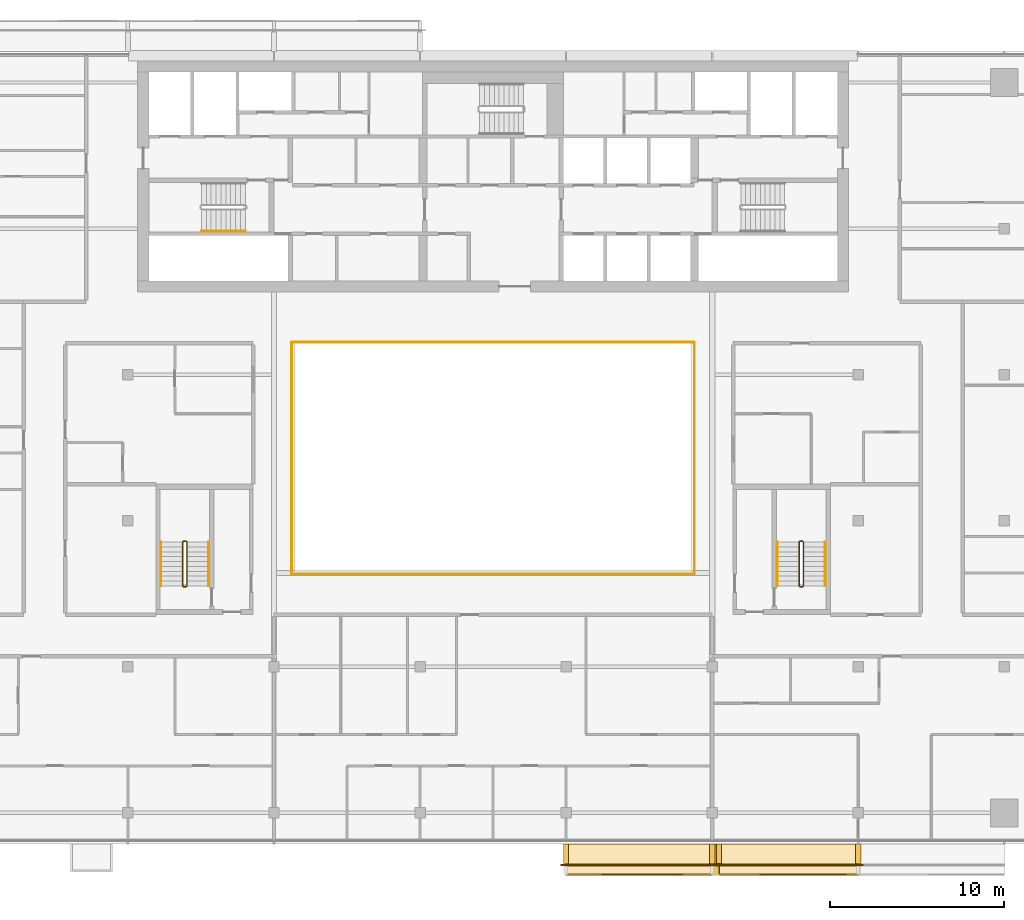
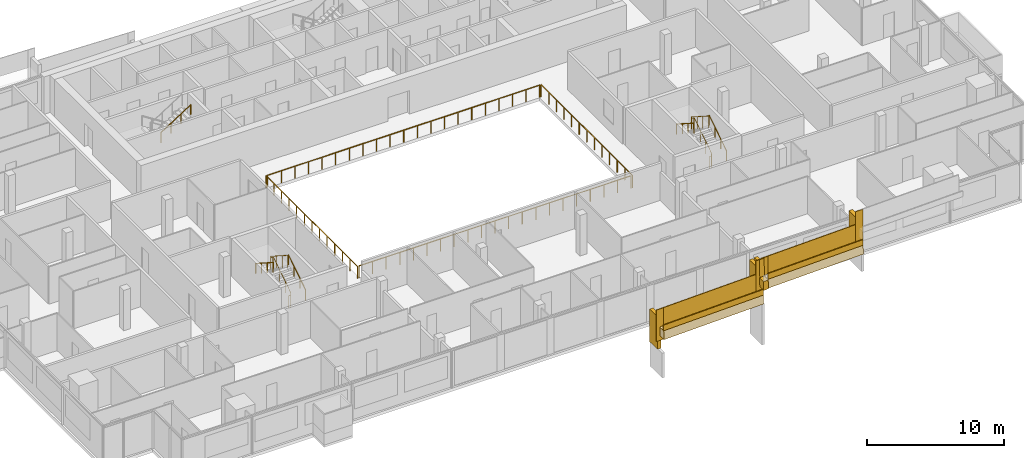
# One storey, part 25 of 27: 18 railings, 9 coverings.
"""IFC4 building model written with IfcOpenShell, lengths in metres."""

from ifc_helpers import new_model, si_unit, direction, frame, origin, origin_2d, place, context, subcontext, project, spatial, polyline, rectangle, circle, outline, extrude, material, layer, layer_set, type_object, element, save


model = new_model("IFC4")

# Units and contexts
model_context = context("Model", 3, precision=1e-05, world=origin(), true_north=direction((0.0, 1.0)))
body_context = subcontext(model_context, "Body", "Model", "MODEL_VIEW")
ifc_project = project(units=[si_unit("LENGTHUNIT", "METRE"), si_unit("AREAUNIT", "SQUARE_METRE"), si_unit("VOLUMEUNIT", "CUBIC_METRE"), si_unit("PLANEANGLEUNIT", "RADIAN"), si_unit("MASSUNIT", "GRAM", prefix="KILO")], contexts=[model_context])

# Site, building, storey
site_placement = place(None, origin())
site = spatial("IfcSite", under=ifc_project, at=site_placement, CompositionType="ELEMENT")
building_placement = place(site_placement, origin())
building = spatial("IfcBuilding", under=site, at=building_placement, Name="Saffron Gate Tower", CompositionType="ELEMENT")
storey_placement = place(building_placement, frame((0.0, 0.0, 234.300048828125)))
storey = spatial("IfcBuildingStorey", under=building, at=storey_placement, Name="L57", CompositionType="ELEMENT", Elevation=234.300048828125)

# Railings
ifc_material_1 = material(Name="Stainless steel and laminated glass", Category="steel")
railing_type_1 = type_object("IfcRailingType", Name="AG1 Atrium edge guard 1100", PredefinedType="GUARDRAIL", material=ifc_material_1)
railing_1_placement = place(storey_placement, frame((76.02001953125, 45.5400390625, 0.0)))
element("IfcRailing", 1, at=railing_1_placement, inside=storey, type_object=railing_type_1, Name="Guard D3-1", PredefinedType="GUARDRAIL", context=body_context, shape_type="SweptSolid", body=[
    extrude(circle(Radius=0.02392578125, at=origin_2d()), frame((0.0, 0.0, 1.076171875), z_axis=(0.0, 1.0, 0.0), x_axis=(-1.0, 0.0, 0.0)), (0.0, 0.0, 1.0), 13.320068359375),
    extrude(circle(Radius=0.02099609375, at=origin_2d()), origin(), (0.0, 0.0, 1.0), 1.052001953125),
    extrude(circle(Radius=0.02099609375, at=origin_2d()), frame((0.0, 1.110107421875, 0.0)), (0.0, 0.0, 1.0), 1.052001953125),
    extrude(circle(Radius=0.02099609375, at=origin_2d()), frame((0.0, 2.219970703125, 0.0)), (0.0, 0.0, 1.0), 1.052001953125),
    extrude(circle(Radius=0.02099609375, at=origin_2d()), frame((0.0, 3.330078125, 0.0)), (0.0, 0.0, 1.0), 1.052001953125),
    extrude(circle(Radius=0.02099609375, at=origin_2d()), frame((0.0, 4.43994140625, 0.0)), (0.0, 0.0, 1.0), 1.052001953125),
    extrude(circle(Radius=0.02099609375, at=origin_2d()), frame((0.0, 5.550048828125, 0.0)), (0.0, 0.0, 1.0), 1.052001953125),
    extrude(circle(Radius=0.02099609375, at=origin_2d()), frame((0.0, 6.66015625, 0.0)), (0.0, 0.0, 1.0), 1.052001953125),
    extrude(circle(Radius=0.02099609375, at=origin_2d()), frame((0.0, 7.77001953125, 0.0)), (0.0, 0.0, 1.0), 1.052001953125),
    extrude(circle(Radius=0.02099609375, at=origin_2d()), frame((0.0, 8.880126953125, 0.0)), (0.0, 0.0, 1.0), 1.052001953125),
    extrude(circle(Radius=0.02099609375, at=origin_2d()), frame((0.0, 9.989990234375, 0.0)), (0.0, 0.0, 1.0), 1.052001953125),
    extrude(circle(Radius=0.02099609375, at=origin_2d()), frame((0.0, 11.10009765625, 0.0)), (0.0, 0.0, 1.0), 1.052001953125),
    extrude(circle(Radius=0.02099609375, at=origin_2d()), frame((0.0, 12.2099609375, 0.0)), (0.0, 0.0, 1.0), 1.052001953125),
    extrude(circle(Radius=0.02099609375, at=origin_2d()), frame((0.0, 13.320068359375, 0.0)), (0.0, 0.0, 1.0), 1.052001953125),
])
railing_2_placement = place(storey_placement, frame((76.139892578125, 58.860107421875, 0.0)))
element("IfcRailing", 2, at=railing_2_placement, inside=storey, type_object=railing_type_1, Name="Guard D3-2", PredefinedType="GUARDRAIL", context=body_context, shape_type="SweptSolid", body=[
    extrude(circle(Radius=0.02392578125, at=origin_2d()), frame((0.0, 0.0, 1.076171875), z_axis=(1.0, 0.0, 0.0), x_axis=(0.0, 1.0, 0.0)), (0.0, 0.0, 1.0), 22.920166015625),
    extrude(circle(Radius=0.02099609375, at=origin_2d()), origin(), (0.0, 0.0, 1.0), 1.052001953125),
    extrude(circle(Radius=0.02099609375, at=origin_2d()), frame((1.14599609375, 0.0, 0.0)), (0.0, 0.0, 1.0), 1.052001953125),
    extrude(circle(Radius=0.02099609375, at=origin_2d()), frame((2.2919921875, 0.0, 0.0)), (0.0, 0.0, 1.0), 1.052001953125),
    extrude(circle(Radius=0.02099609375, at=origin_2d()), frame((3.43798828125, 0.0, 0.0)), (0.0, 0.0, 1.0), 1.052001953125),
    extrude(circle(Radius=0.02099609375, at=origin_2d()), frame((4.583984375, 0.0, 0.0)), (0.0, 0.0, 1.0), 1.052001953125),
    extrude(circle(Radius=0.02099609375, at=origin_2d()), frame((5.72998046875, 0.0, 0.0)), (0.0, 0.0, 1.0), 1.052001953125),
    extrude(circle(Radius=0.02099609375, at=origin_2d()), frame((6.8759765625, 0.0, 0.0)), (0.0, 0.0, 1.0), 1.052001953125),
    extrude(circle(Radius=0.02099609375, at=origin_2d()), frame((8.02197265625, 0.0, 0.0)), (0.0, 0.0, 1.0), 1.052001953125),
    extrude(circle(Radius=0.02099609375, at=origin_2d()), frame((9.16796875, 0.0, 0.0)), (0.0, 0.0, 1.0), 1.052001953125),
    extrude(circle(Radius=0.02099609375, at=origin_2d()), frame((10.31396484375, 0.0, 0.0)), (0.0, 0.0, 1.0), 1.052001953125),
    extrude(circle(Radius=0.02099609375, at=origin_2d()), frame((11.4599609375, 0.0, 0.0)), (0.0, 0.0, 1.0), 1.052001953125),
    extrude(circle(Radius=0.02099609375, at=origin_2d()), frame((12.606201171875, 0.0, 0.0)), (0.0, 0.0, 1.0), 1.052001953125),
    extrude(circle(Radius=0.02099609375, at=origin_2d()), frame((13.752197265625, 0.0, 0.0)), (0.0, 0.0, 1.0), 1.052001953125),
    extrude(circle(Radius=0.02099609375, at=origin_2d()), frame((14.898193359375, 0.0, 0.0)), (0.0, 0.0, 1.0), 1.052001953125),
    extrude(circle(Radius=0.02099609375, at=origin_2d()), frame((16.044189453125, 0.0, 0.0)), (0.0, 0.0, 1.0), 1.052001953125),
    extrude(circle(Radius=0.02099609375, at=origin_2d()), frame((17.190185546875, 0.0, 0.0)), (0.0, 0.0, 1.0), 1.052001953125),
    extrude(circle(Radius=0.02099609375, at=origin_2d()), frame((18.336181640625, 0.0, 0.0)), (0.0, 0.0, 1.0), 1.052001953125),
    extrude(circle(Radius=0.02099609375, at=origin_2d()), frame((19.482177734375, 0.0, 0.0)), (0.0, 0.0, 1.0), 1.052001953125),
    extrude(circle(Radius=0.02099609375, at=origin_2d()), frame((20.628173828125, 0.0, 0.0)), (0.0, 0.0, 1.0), 1.052001953125),
    extrude(circle(Radius=0.02099609375, at=origin_2d()), frame((21.774169921875, 0.0, 0.0)), (0.0, 0.0, 1.0), 1.052001953125),
    extrude(circle(Radius=0.02099609375, at=origin_2d()), frame((22.920166015625, 0.0, 0.0)), (0.0, 0.0, 1.0), 1.052001953125),
])
railing_3_placement = place(storey_placement, frame((99.179931640625, 58.860107421875, 0.0)))
element("IfcRailing", 3, at=railing_3_placement, inside=storey, type_object=railing_type_1, Name="Guard D3-3", PredefinedType="GUARDRAIL", context=body_context, shape_type="SweptSolid", body=[
    extrude(circle(Radius=0.02392578125, at=origin_2d()), frame((0.0, 0.0, 1.076171875), z_axis=(0.0, -1.0, 0.0), x_axis=(1.0, 0.0, 0.0)), (0.0, 0.0, 1.0), 13.320068359375),
    extrude(circle(Radius=0.02099609375, at=origin_2d()), origin(), (0.0, 0.0, 1.0), 1.052001953125),
    extrude(circle(Radius=0.02099609375, at=origin_2d()), frame((0.0, -1.110107421875, 0.0)), (0.0, 0.0, 1.0), 1.052001953125),
    extrude(circle(Radius=0.02099609375, at=origin_2d()), frame((0.0, -2.219970703125, 0.0)), (0.0, 0.0, 1.0), 1.052001953125),
    extrude(circle(Radius=0.02099609375, at=origin_2d()), frame((0.0, -3.330078125, 0.0)), (0.0, 0.0, 1.0), 1.052001953125),
    extrude(circle(Radius=0.02099609375, at=origin_2d()), frame((0.0, -4.43994140625, 0.0)), (0.0, 0.0, 1.0), 1.052001953125),
    extrude(circle(Radius=0.02099609375, at=origin_2d()), frame((0.0, -5.550048828125, 0.0)), (0.0, 0.0, 1.0), 1.052001953125),
    extrude(circle(Radius=0.02099609375, at=origin_2d()), frame((0.0, -6.66015625, 0.0)), (0.0, 0.0, 1.0), 1.052001953125),
    extrude(circle(Radius=0.02099609375, at=origin_2d()), frame((0.0, -7.77001953125, 0.0)), (0.0, 0.0, 1.0), 1.052001953125),
    extrude(circle(Radius=0.02099609375, at=origin_2d()), frame((0.0, -8.880126953125, 0.0)), (0.0, 0.0, 1.0), 1.052001953125),
    extrude(circle(Radius=0.02099609375, at=origin_2d()), frame((0.0, -9.989990234375, 0.0)), (0.0, 0.0, 1.0), 1.052001953125),
    extrude(circle(Radius=0.02099609375, at=origin_2d()), frame((0.0, -11.10009765625, 0.0)), (0.0, 0.0, 1.0), 1.052001953125),
    extrude(circle(Radius=0.02099609375, at=origin_2d()), frame((0.0, -12.2099609375, 0.0)), (0.0, 0.0, 1.0), 1.052001953125),
    extrude(circle(Radius=0.02099609375, at=origin_2d()), frame((0.0, -13.320068359375, 0.0)), (0.0, 0.0, 1.0), 1.052001953125),
])
railing_4_placement = place(storey_placement, frame((99.06005859375, 45.5400390625, 0.0)))
element("IfcRailing", 4, at=railing_4_placement, inside=storey, type_object=railing_type_1, Name="Guard D3-4", PredefinedType="GUARDRAIL", context=body_context, shape_type="SweptSolid", body=[
    extrude(circle(Radius=0.02392578125, at=origin_2d()), frame((0.0, 0.0, 1.076171875), z_axis=(-1.0, 0.0, 0.0), x_axis=(0.0, -1.0, 0.0)), (0.0, 0.0, 1.0), 22.920166015625),
    extrude(circle(Radius=0.02099609375, at=origin_2d()), origin(), (0.0, 0.0, 1.0), 1.052001953125),
    extrude(circle(Radius=0.02099609375, at=origin_2d()), frame((-1.14599609375, 0.0, 0.0)), (0.0, 0.0, 1.0), 1.052001953125),
    extrude(circle(Radius=0.02099609375, at=origin_2d()), frame((-2.2919921875, 0.0, 0.0)), (0.0, 0.0, 1.0), 1.052001953125),
    extrude(circle(Radius=0.02099609375, at=origin_2d()), frame((-3.43798828125, 0.0, 0.0)), (0.0, 0.0, 1.0), 1.052001953125),
    extrude(circle(Radius=0.02099609375, at=origin_2d()), frame((-4.583984375, 0.0, 0.0)), (0.0, 0.0, 1.0), 1.052001953125),
    extrude(circle(Radius=0.02099609375, at=origin_2d()), frame((-5.72998046875, 0.0, 0.0)), (0.0, 0.0, 1.0), 1.052001953125),
    extrude(circle(Radius=0.02099609375, at=origin_2d()), frame((-6.8759765625, 0.0, 0.0)), (0.0, 0.0, 1.0), 1.052001953125),
    extrude(circle(Radius=0.02099609375, at=origin_2d()), frame((-8.02197265625, 0.0, 0.0)), (0.0, 0.0, 1.0), 1.052001953125),
    extrude(circle(Radius=0.02099609375, at=origin_2d()), frame((-9.16796875, 0.0, 0.0)), (0.0, 0.0, 1.0), 1.052001953125),
    extrude(circle(Radius=0.02099609375, at=origin_2d()), frame((-10.31396484375, 0.0, 0.0)), (0.0, 0.0, 1.0), 1.052001953125),
    extrude(circle(Radius=0.02099609375, at=origin_2d()), frame((-11.4599609375, 0.0, 0.0)), (0.0, 0.0, 1.0), 1.052001953125),
    extrude(circle(Radius=0.02099609375, at=origin_2d()), frame((-12.606201171875, 0.0, 0.0)), (0.0, 0.0, 1.0), 1.052001953125),
    extrude(circle(Radius=0.02099609375, at=origin_2d()), frame((-13.752197265625, 0.0, 0.0)), (0.0, 0.0, 1.0), 1.052001953125),
    extrude(circle(Radius=0.02099609375, at=origin_2d()), frame((-14.898193359375, 0.0, 0.0)), (0.0, 0.0, 1.0), 1.052001953125),
    extrude(circle(Radius=0.02099609375, at=origin_2d()), frame((-16.044189453125, 0.0, 0.0)), (0.0, 0.0, 1.0), 1.052001953125),
    extrude(circle(Radius=0.02099609375, at=origin_2d()), frame((-17.190185546875, 0.0, 0.0)), (0.0, 0.0, 1.0), 1.052001953125),
    extrude(circle(Radius=0.02099609375, at=origin_2d()), frame((-18.336181640625, 0.0, 0.0)), (0.0, 0.0, 1.0), 1.052001953125),
    extrude(circle(Radius=0.02099609375, at=origin_2d()), frame((-19.482177734375, 0.0, 0.0)), (0.0, 0.0, 1.0), 1.052001953125),
    extrude(circle(Radius=0.02099609375, at=origin_2d()), frame((-20.628173828125, 0.0, 0.0)), (0.0, 0.0, 1.0), 1.052001953125),
    extrude(circle(Radius=0.02099609375, at=origin_2d()), frame((-21.774169921875, 0.0, 0.0)), (0.0, 0.0, 1.0), 1.052001953125),
    extrude(circle(Radius=0.02099609375, at=origin_2d()), frame((-22.920166015625, 0.0, 0.0)), (0.0, 0.0, 1.0), 1.052001953125),
])
railing_type_2 = type_object("IfcRailingType", Name="CR1 Stair guard 1100", PredefinedType="GUARDRAIL", material=ifc_material_1)
railing_5_placement = place(storey_placement, frame((69.800048828125, 44.800048828125, 0.0)))
element("IfcRailing", 5, at=railing_5_placement, inside=storey, type_object=railing_type_2, Name="L57 ST-D stair guard 1", PredefinedType="GUARDRAIL", context=body_context, shape_type="SweptSolid", body=[
    extrude(circle(Radius=0.02392578125, at=origin_2d()), frame((0.0, 0.0, 1.076171875), z_axis=(1.0, 0.0, 0.0), x_axis=(0.0, 1.0, 0.0)), (0.0, 0.0, 1.0), 0.14990234375),
    extrude(circle(Radius=0.02392578125, at=origin_2d()), frame((0.14990234375, 0.0, 1.076171875), z_axis=(0.258847668887, 0.258847668887, 0.930588936439), x_axis=(-0.707106781187, 0.707106781187, 0.0)), (0.0, 0.0, 1.0), 0.193359375),
    extrude(circle(Radius=0.02392578125, at=origin_2d()), frame((0.199951171875, 0.050048828125, 1.255859375), z_axis=(0.0, 0.841162588446, 0.540782303519), x_axis=(-1.0, 0.0, 0.0)), (0.0, 0.0, 1.0), 2.995849609375),
    extrude(circle(Radius=0.02392578125, at=origin_2d()), frame((0.199951171875, 2.570068359375, 2.8759765625), z_axis=(-0.708833529934, 0.705375805398, 0.0), x_axis=(-0.705375805398, -0.708833529934, 0.0)), (0.0, 0.0, 1.0), 0.070556640625),
    extrude(circle(Radius=0.02392578125, at=origin_2d()), frame((0.14990234375, 2.619873046875, 2.8759765625), z_axis=(-1.0, 0.0, 0.0), x_axis=(0.0, -1.0, 0.0)), (0.0, 0.0, 1.0), 0.14990234375),
    extrude(circle(Radius=0.02392578125, at=origin_2d()), frame((0.0, 2.619873046875, 2.8759765625), z_axis=(-0.258932105505, -0.257669022063, 0.930892496375), x_axis=(0.705375805398, -0.708833529934, 0.0)), (0.0, 0.0, 1.0), 0.193359375),
    extrude(circle(Radius=0.02392578125, at=origin_2d()), frame((-0.050048828125, 2.570068359375, 3.05615234375), z_axis=(0.0, -0.841199657755, 0.540724639528), x_axis=(1.0, 0.0, 0.0)), (0.0, 0.0, 1.0), 2.995849609375),
    extrude(circle(Radius=0.02099609375, at=origin_2d()), origin(), (0.0, 0.0, 1.0), 1.052001953125),
    extrude(circle(Radius=0.02099609375, at=origin_2d()), frame((0.14990234375, 0.0, 0.0)), (0.0, 0.0, 1.0), 1.052001953125),
    extrude(circle(Radius=0.02099609375, at=origin_2d()), frame((0.199951171875, 0.050048828125, 0.179931640625)), (0.0, 0.0, 1.0), 1.052001953125),
    extrude(circle(Radius=0.02099609375, at=origin_2d()), frame((0.199951171875, 0.89013671875, 0.719970703125)), (0.0, 0.0, 1.0), 1.052001953125),
    extrude(circle(Radius=0.02099609375, at=origin_2d()), frame((0.199951171875, 1.72998046875, 1.260009765625)), (0.0, 0.0, 1.0), 1.052001953125),
    extrude(circle(Radius=0.02099609375, at=origin_2d()), frame((0.199951171875, 2.570068359375, 1.800048828125)), (0.0, 0.0, 1.0), 1.052001953125),
    extrude(circle(Radius=0.02099609375, at=origin_2d()), frame((0.14990234375, 2.619873046875, 1.800048828125)), (0.0, 0.0, 1.0), 1.052001953125),
    extrude(circle(Radius=0.02099609375, at=origin_2d()), frame((0.0, 2.619873046875, 1.800048828125)), (0.0, 0.0, 1.0), 1.052001953125),
    extrude(circle(Radius=0.02099609375, at=origin_2d()), frame((-0.050048828125, 2.570068359375, 1.97998046875)), (0.0, 0.0, 1.0), 1.052001953125),
    extrude(circle(Radius=0.02099609375, at=origin_2d()), frame((-0.050048828125, 1.72998046875, 2.52001953125)), (0.0, 0.0, 1.0), 1.052001953125),
    extrude(circle(Radius=0.02099609375, at=origin_2d()), frame((-0.050048828125, 0.89013671875, 3.059814453125)), (0.0, 0.0, 1.0), 1.052001953125),
    extrude(circle(Radius=0.02099609375, at=origin_2d()), frame((-0.050048828125, 0.050048828125, 3.599853515625)), (0.0, 0.0, 1.0), 1.052001953125),
])
railing_6_placement = place(storey_placement, frame((105.25, 44.800048828125, 0.0)))
element("IfcRailing", 6, at=railing_6_placement, inside=storey, type_object=railing_type_2, Name="L57 ST-E stair guard 1", PredefinedType="GUARDRAIL", context=body_context, shape_type="SweptSolid", body=[
    extrude(circle(Radius=0.02392578125, at=origin_2d()), frame((0.0, 0.0, 1.076171875), z_axis=(1.0, 0.0, 0.0), x_axis=(0.0, 1.0, 0.0)), (0.0, 0.0, 1.0), 0.14990234375),
    extrude(circle(Radius=0.02392578125, at=origin_2d()), frame((0.14990234375, 0.0, 1.076171875), z_axis=(0.258847668887, 0.258847668887, 0.930588936439), x_axis=(-0.707106781187, 0.707106781187, 0.0)), (0.0, 0.0, 1.0), 0.193359375),
    extrude(circle(Radius=0.02392578125, at=origin_2d()), frame((0.199951171875, 0.050048828125, 1.255859375), z_axis=(0.0, 0.841162588446, 0.540782303519), x_axis=(-1.0, 0.0, 0.0)), (0.0, 0.0, 1.0), 2.995849609375),
    extrude(circle(Radius=0.02392578125, at=origin_2d()), frame((0.199951171875, 2.570068359375, 2.8759765625), z_axis=(-0.708833529934, 0.705375805398, 0.0), x_axis=(-0.705375805398, -0.708833529934, 0.0)), (0.0, 0.0, 1.0), 0.070556640625),
    extrude(circle(Radius=0.02392578125, at=origin_2d()), frame((0.14990234375, 2.619873046875, 2.8759765625), z_axis=(-1.0, 0.0, 0.0), x_axis=(0.0, -1.0, 0.0)), (0.0, 0.0, 1.0), 0.14990234375),
    extrude(circle(Radius=0.02392578125, at=origin_2d()), frame((0.0, 2.619873046875, 2.8759765625), z_axis=(-0.258932105505, -0.257669022063, 0.930892496375), x_axis=(0.705375805398, -0.708833529934, 0.0)), (0.0, 0.0, 1.0), 0.193359375),
    extrude(circle(Radius=0.02392578125, at=origin_2d()), frame((-0.050048828125, 2.570068359375, 3.05615234375), z_axis=(0.0, -0.841199657755, 0.540724639528), x_axis=(1.0, 0.0, 0.0)), (0.0, 0.0, 1.0), 2.995849609375),
    extrude(circle(Radius=0.02099609375, at=origin_2d()), origin(), (0.0, 0.0, 1.0), 1.052001953125),
    extrude(circle(Radius=0.02099609375, at=origin_2d()), frame((0.14990234375, 0.0, 0.0)), (0.0, 0.0, 1.0), 1.052001953125),
    extrude(circle(Radius=0.02099609375, at=origin_2d()), frame((0.199951171875, 0.050048828125, 0.179931640625)), (0.0, 0.0, 1.0), 1.052001953125),
    extrude(circle(Radius=0.02099609375, at=origin_2d()), frame((0.199951171875, 0.89013671875, 0.719970703125)), (0.0, 0.0, 1.0), 1.052001953125),
    extrude(circle(Radius=0.02099609375, at=origin_2d()), frame((0.199951171875, 1.72998046875, 1.260009765625)), (0.0, 0.0, 1.0), 1.052001953125),
    extrude(circle(Radius=0.02099609375, at=origin_2d()), frame((0.199951171875, 2.570068359375, 1.800048828125)), (0.0, 0.0, 1.0), 1.052001953125),
    extrude(circle(Radius=0.02099609375, at=origin_2d()), frame((0.14990234375, 2.619873046875, 1.800048828125)), (0.0, 0.0, 1.0), 1.052001953125),
    extrude(circle(Radius=0.02099609375, at=origin_2d()), frame((0.0, 2.619873046875, 1.800048828125)), (0.0, 0.0, 1.0), 1.052001953125),
    extrude(circle(Radius=0.02099609375, at=origin_2d()), frame((-0.050048828125, 2.570068359375, 1.97998046875)), (0.0, 0.0, 1.0), 1.052001953125),
    extrude(circle(Radius=0.02099609375, at=origin_2d()), frame((-0.050048828125, 1.72998046875, 2.52001953125)), (0.0, 0.0, 1.0), 1.052001953125),
    extrude(circle(Radius=0.02099609375, at=origin_2d()), frame((-0.050048828125, 0.89013671875, 3.059814453125)), (0.0, 0.0, 1.0), 1.052001953125),
    extrude(circle(Radius=0.02099609375, at=origin_2d()), frame((-0.050048828125, 0.050048828125, 3.599853515625)), (0.0, 0.0, 1.0), 1.052001953125),
])
ifc_material_2 = material(Name="Stainless steel", Category="steel")
railing_type_3 = type_object("IfcRailingType", Name="CR2 Stair handrail 900", PredefinedType="HANDRAIL", material=ifc_material_2)
railing_7_placement = place(storey_placement, frame((70.830078125, 65.25, 1.97998046875)))
element("IfcRailing", 7, at=railing_7_placement, inside=storey, type_object=railing_type_3, Name="L57 ST-A stair handrail 2", PredefinedType="HANDRAIL", context=body_context, shape_type="SweptSolid", body=[
    extrude(circle(Radius=0.02392578125, at=origin_2d()), frame((0.0, 0.0, 0.8759765625), z_axis=(0.841199657755, 0.0, 0.540724639528), x_axis=(0.0, 1.0, 0.0)), (0.0, 0.0, 1.0), 2.995849609375),
    extrude(circle(Radius=0.02099609375, at=origin_2d()), origin(), (0.0, 0.0, 1.0), 0.851806640625),
    extrude(circle(Radius=0.02099609375, at=origin_2d()), frame((0.840087890625, 0.0, 0.5400390625)), (0.0, 0.0, 1.0), 0.851806640625),
    extrude(circle(Radius=0.02099609375, at=origin_2d()), frame((1.679931640625, 0.0, 1.079833984375)), (0.0, 0.0, 1.0), 0.851806640625),
    extrude(circle(Radius=0.02099609375, at=origin_2d()), frame((2.52001953125, 0.0, 1.619873046875)), (0.0, 0.0, 1.0), 0.851806640625),
])
railing_8_placement = place(storey_placement, frame((71.25, 44.85009765625, 0.179931640625)))
element("IfcRailing", 8, at=railing_8_placement, inside=storey, type_object=railing_type_3, Name="L57 ST-D stair handrail 1", PredefinedType="HANDRAIL", context=body_context, shape_type="SweptSolid", body=[
    extrude(circle(Radius=0.02392578125, at=origin_2d()), frame((0.0, 0.0, 0.8759765625), z_axis=(0.0, 0.841162588446, 0.540782303519), x_axis=(-1.0, 0.0, 0.0)), (0.0, 0.0, 1.0), 2.995849609375),
    extrude(circle(Radius=0.02099609375, at=origin_2d()), origin(), (0.0, 0.0, 1.0), 0.851806640625),
    extrude(circle(Radius=0.02099609375, at=origin_2d()), frame((0.0, 0.840087890625, 0.5400390625)), (0.0, 0.0, 1.0), 0.851806640625),
    extrude(circle(Radius=0.02099609375, at=origin_2d()), frame((0.0, 1.679931640625, 1.080078125)), (0.0, 0.0, 1.0), 0.851806640625),
    extrude(circle(Radius=0.02099609375, at=origin_2d()), frame((0.0, 2.52001953125, 1.6201171875)), (0.0, 0.0, 1.0), 0.851806640625),
])
railing_9_placement = place(storey_placement, frame((68.5, 47.3701171875, 1.97998046875)))
element("IfcRailing", 9, at=railing_9_placement, inside=storey, type_object=railing_type_3, Name="L57 ST-D stair handrail 2", PredefinedType="HANDRAIL", context=body_context, shape_type="SweptSolid", body=[
    extrude(circle(Radius=0.02392578125, at=origin_2d()), frame((0.0, 0.0, 0.8759765625), z_axis=(0.0, -0.841199657755, 0.540724639528), x_axis=(1.0, 0.0, 0.0)), (0.0, 0.0, 1.0), 2.995849609375),
    extrude(circle(Radius=0.02099609375, at=origin_2d()), origin(), (0.0, 0.0, 1.0), 0.851806640625),
    extrude(circle(Radius=0.02099609375, at=origin_2d()), frame((0.0, -0.840087890625, 0.5400390625)), (0.0, 0.0, 1.0), 0.851806640625),
    extrude(circle(Radius=0.02099609375, at=origin_2d()), frame((0.0, -1.679931640625, 1.079833984375)), (0.0, 0.0, 1.0), 0.851806640625),
    extrude(circle(Radius=0.02099609375, at=origin_2d()), frame((0.0, -2.52001953125, 1.619873046875)), (0.0, 0.0, 1.0), 0.851806640625),
])
railing_10_placement = place(storey_placement, frame((106.699951171875, 44.85009765625, 0.179931640625)))
element("IfcRailing", 10, at=railing_10_placement, inside=storey, type_object=railing_type_3, Name="L57 ST-E stair handrail 1", PredefinedType="HANDRAIL", context=body_context, shape_type="SweptSolid", body=[
    extrude(circle(Radius=0.02392578125, at=origin_2d()), frame((0.0, 0.0, 0.8759765625), z_axis=(0.0, 0.841162588446, 0.540782303519), x_axis=(-1.0, 0.0, 0.0)), (0.0, 0.0, 1.0), 2.995849609375),
    extrude(circle(Radius=0.02099609375, at=origin_2d()), origin(), (0.0, 0.0, 1.0), 0.851806640625),
    extrude(circle(Radius=0.02099609375, at=origin_2d()), frame((0.0, 0.840087890625, 0.5400390625)), (0.0, 0.0, 1.0), 0.851806640625),
    extrude(circle(Radius=0.02099609375, at=origin_2d()), frame((0.0, 1.679931640625, 1.080078125)), (0.0, 0.0, 1.0), 0.851806640625),
    extrude(circle(Radius=0.02099609375, at=origin_2d()), frame((0.0, 2.52001953125, 1.6201171875)), (0.0, 0.0, 1.0), 0.851806640625),
])
railing_11_placement = place(storey_placement, frame((103.949951171875, 47.3701171875, 1.97998046875)))
element("IfcRailing", 11, at=railing_11_placement, inside=storey, type_object=railing_type_3, Name="L57 ST-E stair handrail 2", PredefinedType="HANDRAIL", context=body_context, shape_type="SweptSolid", body=[
    extrude(circle(Radius=0.02392578125, at=origin_2d()), frame((0.0, 0.0, 0.8759765625), z_axis=(0.0, -0.841199657755, 0.540724639528), x_axis=(1.0, 0.0, 0.0)), (0.0, 0.0, 1.0), 2.995849609375),
    extrude(circle(Radius=0.02099609375, at=origin_2d()), origin(), (0.0, 0.0, 1.0), 0.851806640625),
    extrude(circle(Radius=0.02099609375, at=origin_2d()), frame((0.0, -0.840087890625, 0.5400390625)), (0.0, 0.0, 1.0), 0.851806640625),
    extrude(circle(Radius=0.02099609375, at=origin_2d()), frame((0.0, -1.679931640625, 1.079833984375)), (0.0, 0.0, 1.0), 0.851806640625),
    extrude(circle(Radius=0.02099609375, at=origin_2d()), frame((0.0, -2.52001953125, 1.619873046875)), (0.0, 0.0, 1.0), 0.851806640625),
])

# Coverings
ifc_material_3 = material(Name="Timber, thermally modified ash", Category="wood")
ifc_layer_1 = layer(ifc_material_3, 0.800048828125)
ifc_layer_set_1 = layer_set([ifc_layer_1], Name="LD1 ledge timber")
covering_type_1 = type_object("IfcCoveringType", Name="LD1 ledge timber", PredefinedType="CLADDING", material=ifc_layer_set_1)
covering_1_placement = place(storey_placement, frame((91.800048828125, 30.0, 0.32861328125), z_axis=(-0.028791175352, 0.0, 0.999585448184), x_axis=(0.999585448184, 0.0, 0.028791175352)))
element("IfcCovering", 12, at=covering_1_placement, inside=storey, type_object=covering_type_1, Name="LEDGE", PredefinedType="CLADDING", context=body_context, shape_type="SweptSolid", body=[
    extrude(outline(polyline([(0.0, 0.0), (8.403385982666892, 0.0), (8.403385982666892, -1.800048828125), (0.0, -1.800048828125), (0.0, 0.0)])), origin(), (0.0, 0.0, -1.0), 0.800048828125),
])
covering_2_placement = place(storey_placement, frame((100.199951171875, 30.0, 1.77099609375), z_axis=(-0.028664238881, 0.0, 0.999589096284), x_axis=(0.999589096284, 0.0, 0.028664238881)))
element("IfcCovering", 13, at=covering_2_placement, inside=storey, type_object=covering_type_1, Name="LEDGE", PredefinedType="CLADDING", context=body_context, shape_type="SweptSolid", body=[
    extrude(outline(polyline([(0.0, 0.0), (0.40031097364171886, 0.0), (0.40031097364171886, -1.8000488281250004), (0.0, -1.8000488281250004), (0.0, 0.0)])), origin(), (0.0, 0.0, -1.0), 0.800048828125),
])
covering_3_placement = place(storey_placement, frame((100.60009765625, 30.0, 1.839599609375), z_axis=(-0.028796646555, 0.0, 0.999585290582), x_axis=(0.999585290582, 0.0, 0.028796646555)))
element("IfcCovering", 14, at=covering_3_placement, inside=storey, type_object=covering_type_1, Name="LEDGE", PredefinedType="CLADDING", context=body_context, shape_type="SweptSolid", body=[
    extrude(outline(polyline([(0.0, 0.0), (8.003319051788862, 0.0), (8.003319051788862, -1.800048828125), (0.0, -1.800048828125), (0.0, 0.0)])), origin(), (0.0, 0.0, -1.0), 0.800048828125),
])
ifc_layer_2 = layer(ifc_material_3, 0.080078125)
ifc_layer_set_2 = layer_set([ifc_layer_2], Name="LD2 ledge planter trough")
covering_type_2 = type_object("IfcCoveringType", Name="LD2 ledge planter trough", PredefinedType="CLADDING", material=ifc_layer_set_2)
covering_4_placement = place(storey_placement, frame((91.800048828125, 28.199951171875, 0.32861328125), z_axis=(0.0, -1.0, 0.0), x_axis=(0.999585448184, 0.0, 0.028791175352)))
element("IfcCovering", 15, at=covering_4_placement, inside=storey, type_object=covering_type_2, Name="LEDGE planter trough", PredefinedType="CLADDING", context=body_context, shape_type="SweptSolid", body=[
    extrude(outline(polyline([(0.0, 0.0), (8.403385982666892, 0.0), (8.417781570342743, 0.49979272409216496), (0.014395587675851172, 0.4997927240921649), (0.0, 0.0)])), origin(), (0.0, 0.0, -1.0), 0.080078125),
])
covering_5_placement = place(storey_placement, frame((100.60009765625, 28.199951171875, 1.839599609375), z_axis=(0.0, -1.0, 0.0), x_axis=(0.999585290582, 0.0, 0.028796646555)))
element("IfcCovering", 16, at=covering_5_placement, inside=storey, type_object=covering_type_2, Name="LEDGE planter trough", PredefinedType="CLADDING", context=body_context, shape_type="SweptSolid", body=[
    extrude(outline(polyline([(0.0, 0.0), (8.003319051788862, 0.0), (8.017717375066283, 0.4997926452908234), (0.014398323277421184, 0.49979264529082346), (0.0, 0.0)])), origin(), (0.0, 0.0, -1.0), 0.080078125),
])
ifc_layer_3 = layer(ifc_material_3, 0.300048828125)
ifc_layer_set_3 = layer_set([ifc_layer_3], Name="LD3 ledge riser fin")
covering_type_3 = type_object("IfcCoveringType", Name="LD3 ledge riser fin", PredefinedType="CLADDING", material=ifc_layer_set_3)
for number, where, z_axis, x_axis, name in (
    (17, (91.800048828125, 29.43994140625, -1.671875), (0.0, 0.0, 1.0), (1.0, 0.0, 0.0), "LEDGE riser fin"),
    (18, (100.199951171875, 29.43994140625, -0.2294921875), (0.0, 0.0, 1.0), (1.0, 0.0, 0.0), "LEDGE riser fin"),
):
    element("IfcCovering", number, at=place(storey_placement, frame(where, z_axis=z_axis, x_axis=x_axis)), inside=storey, type_object=covering_type_3, Name=name, PredefinedType="CLADDING", context=body_context, shape_type="SweptSolid", body=[
        extrude(rectangle(XDim=0.300048828125, YDim=1.1201171875, at=origin_2d()), origin(), (0.0, 0.0, 1.0), 2.900390625),
    ])
covering_6_placement = place(storey_placement, frame((100.60009765625, 29.43994140625, 0.982421875), z_axis=(0.0, 0.0, 1.0), x_axis=(1.0, 0.0, 0.0)))
element("IfcCovering", 19, at=covering_6_placement, inside=storey, type_object=covering_type_3, Name="LEDGE riser fin", PredefinedType="CLADDING", context=body_context, shape_type="SweptSolid", body=[
    extrude(rectangle(XDim=0.300048828125, YDim=1.1201171875, at=origin_2d()), origin(), (0.0, 0.0, 1.0), 1.757080078125),
])
covering_7_placement = place(storey_placement, frame((108.60009765625, 29.43994140625, 1.27001953125), z_axis=(0.0, 0.0, 1.0), x_axis=(1.0, 0.0, 0.0)))
element("IfcCovering", 20, at=covering_7_placement, inside=storey, type_object=covering_type_3, Name="LEDGE riser fin", PredefinedType="CLADDING", context=body_context, shape_type="SweptSolid", body=[
    extrude(rectangle(XDim=0.300048828125, YDim=1.1201171875, at=origin_2d()), origin(), (0.0, 0.0, 1.0), 2.84326171875),
])

# Railings
railing_type_4 = type_object("IfcRailingType", Name="LG1 ledge balustrade", PredefinedType="BALUSTRADE", material=ifc_material_3)
railing_12_placement = place(storey_placement, frame((91.800048828125, 28.800048828125, 0.32861328125)))
element("IfcRailing", 21, at=railing_12_placement, inside=storey, type_object=railing_type_4, Name="LEDGE BALUSTRADE", PredefinedType="BALUSTRADE", context=body_context, shape_type="SweptSolid", body=[
    extrude(rectangle(XDim=0.06005859375, YDim=1.60009765625, at=origin_2d()), frame((0.0, 0.0, 0.800048828125), z_axis=(0.999585448184, 0.0, 0.028791175352), x_axis=(0.0, 1.0, 0.0)), (0.0, 0.0, 1.0), 8.4033203125),
])
railing_13_placement = place(storey_placement, frame((91.5, 28.800048828125, -0.871826171875)))
element("IfcRailing", 22, at=railing_13_placement, inside=storey, type_object=railing_type_4, Name="LEDGE BALUSTRADE", PredefinedType="BALUSTRADE", context=body_context, shape_type="SweptSolid", body=[
    extrude(rectangle(XDim=0.06005859375, YDim=2.80029296875, at=origin_2d()), frame((0.0, 0.0, 1.400146484375), z_axis=(1.0, 0.0, 0.0), x_axis=(0.0, 1.0, 0.0)), (0.0, 0.0, 1.0), 0.60009765625),
])
railing_14_placement = place(storey_placement, frame((100.199951171875, 28.800048828125, 1.77099609375)))
element("IfcRailing", 23, at=railing_14_placement, inside=storey, type_object=railing_type_4, Name="LEDGE BALUSTRADE", PredefinedType="BALUSTRADE", context=body_context, shape_type="SweptSolid", body=[
    extrude(rectangle(XDim=0.06005859375, YDim=1.60009765625, at=origin_2d()), frame((0.0, 0.0, 0.800048828125), z_axis=(0.999589096284, 0.0, 0.028664238881), x_axis=(0.0, 1.0, 0.0)), (0.0, 0.0, 1.0), 0.400390625),
])
railing_15_placement = place(storey_placement, frame((99.89990234375, 28.800048828125, 0.570556640625)))
element("IfcRailing", 24, at=railing_15_placement, inside=storey, type_object=railing_type_4, Name="LEDGE BALUSTRADE", PredefinedType="BALUSTRADE", context=body_context, shape_type="SweptSolid", body=[
    extrude(rectangle(XDim=0.06005859375, YDim=2.80029296875, at=origin_2d()), frame((0.0, 0.0, 1.400146484375), z_axis=(1.0, 0.0, 0.0), x_axis=(0.0, 1.0, 0.0)), (0.0, 0.0, 1.0), 0.60009765625),
])
railing_16_placement = place(storey_placement, frame((100.60009765625, 28.800048828125, 1.839599609375)))
element("IfcRailing", 25, at=railing_16_placement, inside=storey, type_object=railing_type_4, Name="LEDGE BALUSTRADE", PredefinedType="BALUSTRADE", context=body_context, shape_type="SweptSolid", body=[
    extrude(rectangle(XDim=0.06005859375, YDim=1.60009765625, at=origin_2d()), frame((0.0, 0.0, 0.800048828125), z_axis=(0.999585290582, 0.0, 0.028796646555), x_axis=(0.0, 1.0, 0.0)), (0.0, 0.0, 1.0), 8.00341796875),
])
railing_17_placement = place(storey_placement, frame((100.300048828125, 28.800048828125, 1.782470703125)))
element("IfcRailing", 26, at=railing_17_placement, inside=storey, type_object=railing_type_4, Name="LEDGE BALUSTRADE", PredefinedType="BALUSTRADE", context=body_context, shape_type="SweptSolid", body=[
    extrude(rectangle(XDim=0.06005859375, YDim=1.6572265625, at=origin_2d()), frame((0.0, 0.0, 0.82861328125), z_axis=(1.0, 0.0, 0.0), x_axis=(0.0, 1.0, 0.0)), (0.0, 0.0, 1.0), 0.599853515625),
])
railing_18_placement = place(storey_placement, frame((108.300048828125, 28.800048828125, 2.070068359375)))
element("IfcRailing", 27, at=railing_18_placement, inside=storey, type_object=railing_type_4, Name="LEDGE BALUSTRADE", PredefinedType="BALUSTRADE", context=body_context, shape_type="SweptSolid", body=[
    extrude(rectangle(XDim=0.06005859375, YDim=2.7431640625, at=origin_2d()), frame((0.0, 0.0, 1.37158203125), z_axis=(1.0, 0.0, 0.0), x_axis=(0.0, 1.0, 0.0)), (0.0, 0.0, 1.0), 0.599853515625),
])

save(model, "model.ifc")
